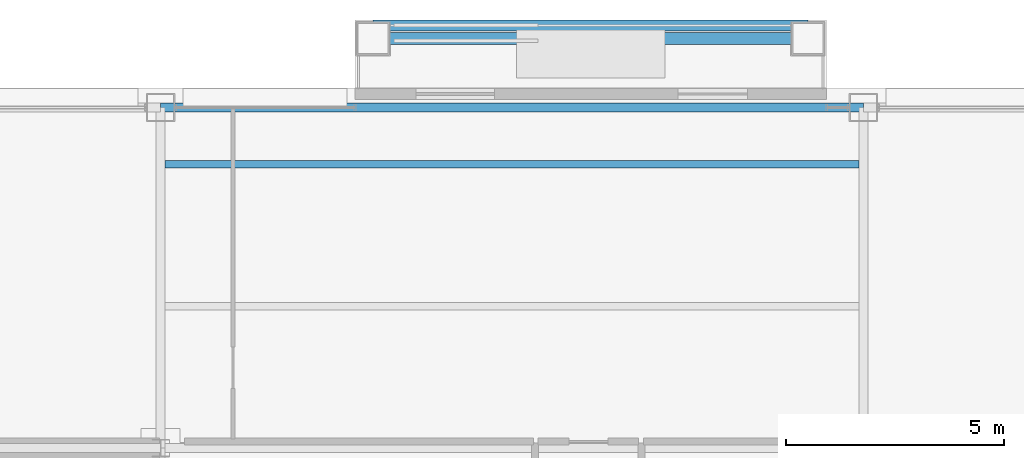
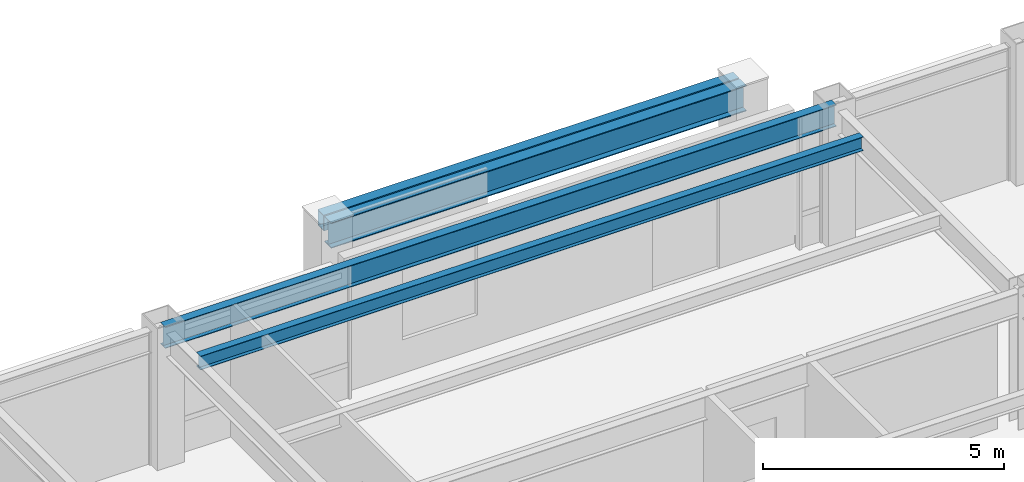
# One storey, part 15 of 24: 3 beams, 1 member.
"""IFC4 building model written with IfcOpenShell, lengths in metres."""

from ifc_helpers import new_model, si_unit, direction, frame, origin, origin_2d, place, context, subcontext, project, spatial, hollow_rectangle, i_section, extrude, material, material_profile, profile_set, type_object, element, save


model = new_model("IFC4")

# Units and contexts
model_context = context("Model", 3, precision=1e-05, world=origin(), true_north=direction((0.0, 1.0)))
body_context = subcontext(model_context, "Body", "Model", "MODEL_VIEW")
ifc_project = project(units=[si_unit("LENGTHUNIT", "METRE"), si_unit("AREAUNIT", "SQUARE_METRE"), si_unit("VOLUMEUNIT", "CUBIC_METRE"), si_unit("PLANEANGLEUNIT", "RADIAN"), si_unit("MASSUNIT", "GRAM", prefix="KILO")], contexts=[model_context])

# Site, building, storey
site_placement = place(None, origin())
site = spatial("IfcSite", under=ifc_project, at=site_placement, CompositionType="ELEMENT")
building_placement = place(site_placement, origin())
building = spatial("IfcBuilding", under=site, at=building_placement, Name="Brelmoor Portico Tower", CompositionType="ELEMENT")
storey_placement = place(building_placement, frame((0.0, 0.0, 240.0)))
storey = spatial("IfcBuildingStorey", under=building, at=storey_placement, Name="L63", CompositionType="ELEMENT", Elevation=240.0)

# Beams
ifc_material_1 = material(Name="Steel Q355B", Category="steel")
ifc_material_profile_1 = material_profile(ifc_material_1, i_section(OverallWidth=0.175048828125, OverallDepth=0.35009765625, WebThickness=0.007080078125, FlangeThickness=0.010986328125, at=origin_2d()), Name="HN 350x175x7x11")
ifc_profile_set_1 = profile_set([ifc_material_profile_1], Name="Steel Q355B")
beam_type_1 = type_object("IfcBeamType", Name="BM-JS-350", PredefinedType="JOIST", material=ifc_profile_set_1)
beam_1_placement = place(storey_placement, frame((-7.949951171875, 16.25, 3.22509765625), z_axis=(1.0, 0.0, 0.0), x_axis=(0.0, 1.0, 0.0)))
element("IfcBeam", 1, at=beam_1_placement, inside=storey, type_object=beam_type_1, Name="L63 Secondary Composite Joist JS-C06", PredefinedType="JOIST", context=body_context, shape_type="SweptSolid", body=[
    extrude(i_section(OverallWidth=0.175048828125, OverallDepth=0.35009765625, WebThickness=0.007080078125, FlangeThickness=0.010986328125, at=origin_2d()), origin(), (0.0, 0.0, 1.0), 15.89990234375),
])
ifc_material_profile_2 = material_profile(ifc_material_1, i_section(OverallWidth=0.199951171875, OverallDepth=0.550048828125, WebThickness=0.010009765625, FlangeThickness=0.01611328125, at=origin_2d()), Name="HN 550x200x10x16")
ifc_profile_set_2 = profile_set([ifc_material_profile_2], Name="Steel Q355B")
beam_type_2 = type_object("IfcBeamType", Name="BM-SP-550", PredefinedType="SPANDREL", material=ifc_profile_set_2)
beam_2_placement = place(storey_placement, frame((-8.050048828125, 17.550048828125, 3.125), z_axis=(1.0, 0.0, 0.0), x_axis=(0.0, 1.0, 0.0)))
element("IfcBeam", 2, at=beam_2_placement, inside=storey, type_object=beam_type_2, Name="L63 Perimeter Spandrel Beam SP-09", PredefinedType="SPANDREL", context=body_context, shape_type="SweptSolid", body=[
    extrude(i_section(OverallWidth=0.199951171875, OverallDepth=0.550048828125, WebThickness=0.010009765625, FlangeThickness=0.01611328125, at=origin_2d()), origin(), (0.0, 0.0, 1.0), 16.10009765625),
])
ifc_material_profile_3 = material_profile(ifc_material_1, i_section(OverallWidth=0.280029296875, OverallDepth=0.64990234375, WebThickness=0.012939453125, FlangeThickness=0.02197265625, at=origin_2d()), Name="HN 650x280x13x22")
ifc_profile_set_3 = profile_set([ifc_material_profile_3], Name="Steel Q355B")
beam_type_3 = type_object("IfcBeamType", Name="BM-SP-650", PredefinedType="SPANDREL", material=ifc_profile_set_3)
beam_3_placement = place(storey_placement, frame((-3.179931640625, 19.1298828125, 3.074951171875), z_axis=(1.0, 0.0, 0.0), x_axis=(0.0, 1.0, 0.0)))
element("IfcBeam", 3, at=beam_3_placement, inside=storey, type_object=beam_type_3, Name="L63 Picture-Frame Perimeter Lintel Beam N1", PredefinedType="SPANDREL", context=body_context, shape_type="SweptSolid", body=[
    extrude(i_section(OverallWidth=0.280029296875, OverallDepth=0.64990234375, WebThickness=0.012939453125, FlangeThickness=0.02197265625, at=origin_2d()), origin(), (0.0, 0.0, 1.0), 9.9599609375),
])

# Member
ifc_material_2 = material(Name="Pale Champagne Fluoropolymer-Coated Steel Q355B", Category="steel")
ifc_material_profile_4 = material_profile(ifc_material_2, hollow_rectangle(XDim=0.25, YDim=0.39990234375, WallThickness=0.013916015625, at=origin_2d()), Name="RHS 250x400x14")
ifc_profile_set_4 = profile_set([ifc_material_profile_4], Name="Pale Champagne Fluoropolymer-Coated Steel Q355B")
member_type = type_object("IfcMemberType", Name="MB-PF-HEADER", PredefinedType="MEMBER", material=ifc_profile_set_4)
member_placement = place(storey_placement, frame((-3.179931640625, 19.429931640625, 3.199951171875), z_axis=(1.0, 0.0, 0.0), x_axis=(0.0, 1.0, 0.0)))
element("IfcMember", 4, at=member_placement, inside=storey, type_object=member_type, Name="L63 Picture-Frame Header N", PredefinedType="MEMBER", context=body_context, shape_type="SweptSolid", body=[
    extrude(hollow_rectangle(XDim=0.25, YDim=0.39990234375, WallThickness=0.013916015625, at=origin_2d()), origin(), (0.0, 0.0, 1.0), 9.9599609375),
])

save(model, "model.ifc")
